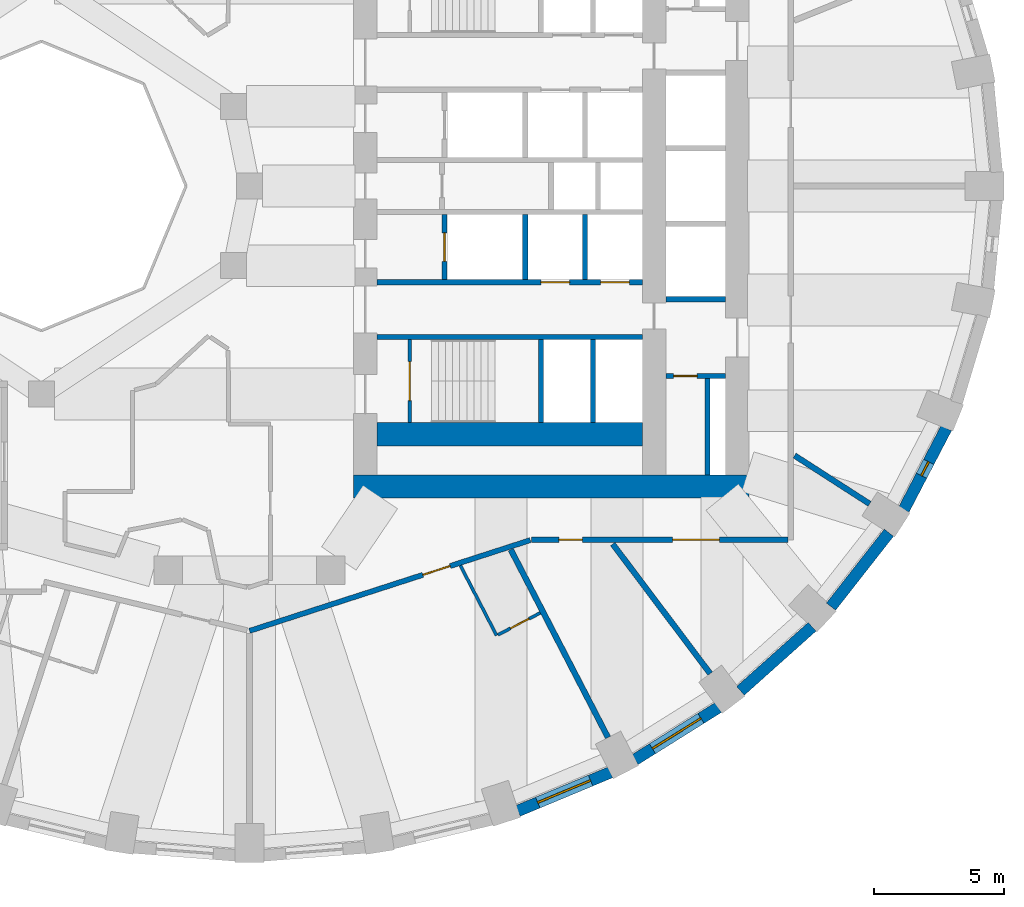
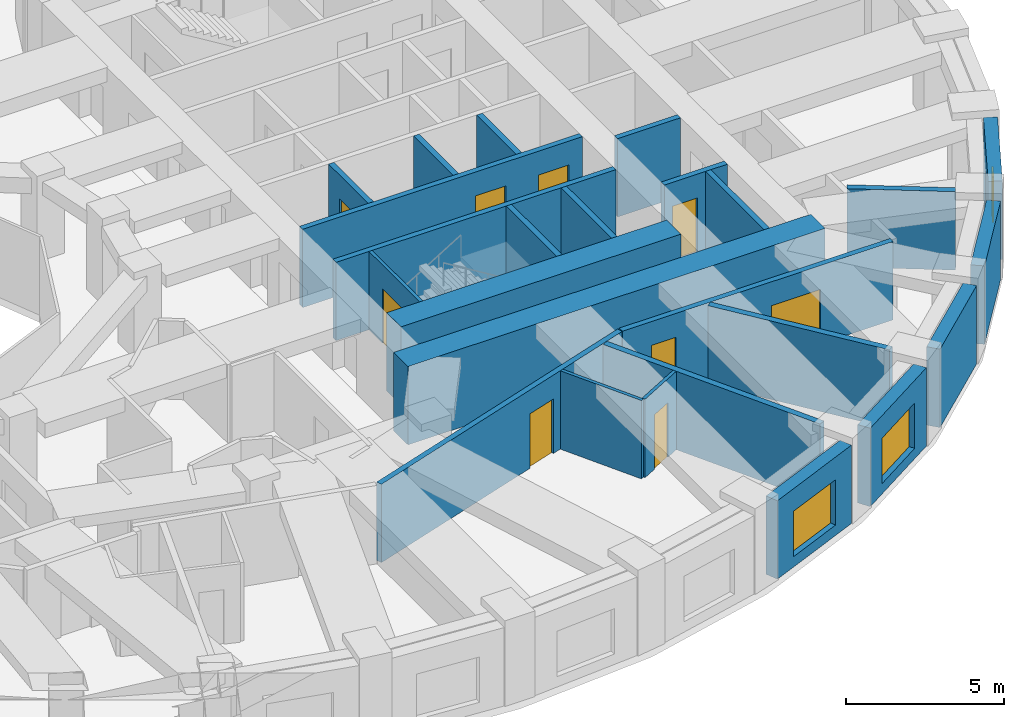
# One storey, part 5 of 13: 25 walls, 9 doors, 3 windows, 12 openings.
"""IFC4 building model written with IfcOpenShell, lengths in metres."""

from ifc_helpers import new_model, si_unit, direction, frame, frame_2d, origin, place, context, subcontext, project, spatial, rectangle, extrude, material, layer, layer_set, type_object, element, fill, save


model = new_model("IFC4")

# Units and contexts
model_context = context("Model", 3, precision=1e-05, world=origin(), true_north=direction((0.0, 1.0)))
body_context = subcontext(model_context, "Body", "Model", "MODEL_VIEW")
ifc_project = project(units=[si_unit("LENGTHUNIT", "METRE"), si_unit("AREAUNIT", "SQUARE_METRE"), si_unit("VOLUMEUNIT", "CUBIC_METRE"), si_unit("PLANEANGLEUNIT", "RADIAN"), si_unit("MASSUNIT", "GRAM", prefix="KILO")], contexts=[model_context])

# Site, building, storey
site_placement = place(None, origin())
site = spatial("IfcSite", under=ifc_project, at=site_placement, CompositionType="ELEMENT")
building_placement = place(site_placement, origin())
building = spatial("IfcBuilding", under=site, at=building_placement, Name="Taillehof Tower", CompositionType="ELEMENT")
storey_placement = place(building_placement, frame((0.0, 0.0, 54.699951171875)))
storey = spatial("IfcBuildingStorey", under=building, at=storey_placement, Name="L14", CompositionType="ELEMENT", Elevation=54.699951171875)

# Wall, opening, window
ifc_material_1 = material(Name="Brick masonry", Category="masonry")
ifc_layer_1 = layer(ifc_material_1, 0.449951171875)
ifc_layer_set_1 = layer_set([ifc_layer_1], Name="Brick infill wall 450")
wall_type_1 = type_object("IfcWallType", Name="Brick infill wall 450", PredefinedType="SOLIDWALL", material=ifc_layer_set_1)
wall_1_placement = place(storey_placement, frame((10.3154296875, -24.02099609375, 0.0), z_axis=(0.0, 0.0, 1.0), x_axis=(0.923031964282, 0.384723267966, 0.0)))
wall_1 = element("IfcWall", 1, at=wall_1_placement, inside=storey, type_object=wall_type_1, Name="Brick wall L14 bay 30", PredefinedType="SOLIDWALL", context=body_context, shape_type="SweptSolid", body=[
    extrude(rectangle(XDim=3.8564453125, YDim=0.449951171875, at=frame_2d((1.92822265625, 0.0))), origin(), (0.0, 0.0, 1.0), 3.02001953125),
])
opening_1_placement = place(wall_1_placement, frame((0.828125, 0.0, 0.39990234375)))
opening_1 = element("IfcOpeningElement", 2, at=opening_1_placement, cuts=wall_1, Name="Opening W1", PredefinedType="OPENING", context=body_context, shape_type="SweptSolid", body=[
    extrude(rectangle(XDim=2.199951171875, YDim=1.75, at=frame_2d((1.10009765625, 0.875))), frame((0.0, 0.23486328125, 0.0), z_axis=(0.0, -1.0, 0.0), x_axis=(1.0, 0.0, 0.0)), (0.0, 0.0, 1.0), 0.469970703125),
])
ifc_material_2 = material(Name="Aluminium window frame with clear double glazing", Category="aluminium")
window_type_1 = type_object("IfcWindowType", Name="Deep-set window 2200x1750", PartitioningType="SINGLE_PANEL", PredefinedType="WINDOW", material=ifc_material_2)
window_1_placement = place(opening_1_placement, origin())
window_1 = element("IfcWindow", 3, at=window_1_placement, inside=storey, type_object=window_type_1, Name="W1", OverallHeight=1.75, OverallWidth=2.199951171875, PartitioningType="SINGLE_PANEL", PredefinedType="WINDOW", context=body_context, shape_type="SweptSolid", body=[
    extrude(rectangle(XDim=2.199951171875, YDim=1.75, at=frame_2d((1.10009765625, 0.875))), frame((0.0, 0.034912109375, 0.0), z_axis=(0.0, -1.0, 0.0), x_axis=(1.0, 0.0, 0.0)), (0.0, 0.0, 1.0), 0.06005859375),
])
fill(opening_1, window_1)

wall_2_placement = place(storey_placement, frame((14.81689453125, -22.050537109375, 0.0), z_axis=(0.0, 0.0, 1.0), x_axis=(0.847635480093, 0.530579016629, 0.0)))
wall_2 = element("IfcWall", 4, at=wall_2_placement, inside=storey, type_object=wall_type_1, Name="Brick wall L14 bay 31", PredefinedType="SOLIDWALL", context=body_context, shape_type="SweptSolid", body=[
    extrude(rectangle(XDim=3.782470703125, YDim=0.449951171875, at=frame_2d((1.89111328125, 0.0))), origin(), (0.0, 0.0, 1.0), 3.02001953125),
])
opening_2_placement = place(wall_2_placement, frame((0.791259765625, 0.0, 0.39990234375)))
opening_2 = element("IfcOpeningElement", 5, at=opening_2_placement, cuts=wall_2, Name="Opening W1", PredefinedType="OPENING", context=body_context, shape_type="SweptSolid", body=[
    extrude(rectangle(XDim=2.199951171875, YDim=1.75, at=frame_2d((1.10009765625, 0.875))), frame((0.0, 0.23486328125, 0.0), z_axis=(0.0, -1.0, 0.0), x_axis=(1.0, 0.0, 0.0)), (0.0, 0.0, 1.0), 0.469970703125),
])
window_2_placement = place(opening_2_placement, origin())
window_2 = element("IfcWindow", 6, at=window_2_placement, inside=storey, type_object=window_type_1, Name="W1", OverallHeight=1.75, OverallWidth=2.199951171875, PartitioningType="SINGLE_PANEL", PredefinedType="WINDOW", context=body_context, shape_type="SweptSolid", body=[
    extrude(rectangle(XDim=2.199951171875, YDim=1.75, at=frame_2d((1.10009765625, 0.875))), frame((0.0, 0.034912109375, 0.0), z_axis=(0.0, -1.0, 0.0), x_axis=(1.0, 0.0, 0.0)), (0.0, 0.0, 1.0), 0.06005859375),
])
fill(opening_2, window_2)

# Walls
wall_3_placement = place(storey_placement, frame((18.87060546875, -19.406982421875, 0.0), z_axis=(0.0, 0.0, 1.0), x_axis=(0.745526233716, 0.66647628228, 0.0)))
element("IfcWall", 7, at=wall_3_placement, inside=storey, type_object=wall_type_1, Name="Brick wall L14 bay 32", PredefinedType="SOLIDWALL", context=body_context, shape_type="SweptSolid", body=[
    extrude(rectangle(XDim=3.69677734375, YDim=0.449951171875, at=frame_2d((1.848388671875, 0.0))), origin(), (0.0, 0.0, 1.0), 3.02001953125),
])
wall_4_placement = place(storey_placement, frame((22.3515625, -16.169677734375, 0.0), z_axis=(0.0, 0.0, 1.0), x_axis=(0.616661975264, 0.787228053529, 0.0)))
element("IfcWall", 8, at=wall_4_placement, inside=storey, type_object=wall_type_1, Name="Brick wall L14 bay 33", PredefinedType="SOLIDWALL", context=body_context, shape_type="SweptSolid", body=[
    extrude(rectangle(XDim=3.60986328125, YDim=0.449951171875, at=frame_2d((1.804931640625, 0.0))), origin(), (0.0, 0.0, 1.0), 3.02001953125),
])

# Wall, opening, window
wall_5_placement = place(storey_placement, frame((25.152099609375, -12.436767578125, 0.0), z_axis=(0.0, 0.0, 1.0), x_axis=(0.462492775226, 0.886623050041, 0.0)))
wall_5 = element("IfcWall", 9, at=wall_5_placement, inside=storey, type_object=wall_type_1, Name="Brick wall L14 bay 34", PredefinedType="SOLIDWALL", context=body_context, shape_type="SweptSolid", body=[
    extrude(rectangle(XDim=3.531982421875, YDim=0.449951171875, at=frame_2d((1.76611328125, 0.0))), origin(), (0.0, 0.0, 1.0), 3.02001953125),
])
opening_3_placement = place(wall_5_placement, frame((1.466064453125, 0.0, 0.39990234375)))
opening_3 = element("IfcOpeningElement", 10, at=opening_3_placement, cuts=wall_5, Name="Opening W6", PredefinedType="OPENING", context=body_context, shape_type="SweptSolid", body=[
    extrude(rectangle(XDim=0.60009765625, YDim=1.75, at=frame_2d((0.300048828125, 0.875))), frame((0.0, 0.23486328125, 0.0), z_axis=(0.0, -1.0, 0.0), x_axis=(1.0, 0.0, 0.0)), (0.0, 0.0, 1.0), 0.469970703125),
])
ifc_material_3 = material(Name="Aluminium window frame with clear double glazing", Category="aluminium")
window_type_2 = type_object("IfcWindowType", Name="Slot window 600x1750", PartitioningType="SINGLE_PANEL", PredefinedType="WINDOW", material=ifc_material_3)
window_3_placement = place(opening_3_placement, origin())
window_3 = element("IfcWindow", 11, at=window_3_placement, inside=storey, type_object=window_type_2, Name="W6", OverallHeight=1.75, OverallWidth=0.60009765625, PartitioningType="SINGLE_PANEL", PredefinedType="WINDOW", context=body_context, shape_type="SweptSolid", body=[
    extrude(rectangle(XDim=0.60009765625, YDim=1.75, at=frame_2d((0.300048828125, 0.875))), frame((0.0, 0.034912109375, 0.0), z_axis=(0.0, -1.0, 0.0), x_axis=(1.0, 0.0, 0.0)), (0.0, 0.0, 1.0), 0.06005859375),
])
fill(opening_3, window_3)

# Wall, opening, door
ifc_material_4 = material(Name="Calcium silicate masonry", Category="masonry")
ifc_layer_2 = layer(ifc_material_4, 0.199951171875)
ifc_layer_set_2 = layer_set([ifc_layer_2], Name="Compartment wall calcium silicate 200")
wall_type_2 = type_object("IfcWallType", Name="Compartment wall calcium silicate 200", PredefinedType="PARTITIONING", material=ifc_layer_set_2)
wall_6_placement = place(storey_placement, frame((16.0, -7.300048828125, 0.0), z_axis=(0.0, 0.0, 1.0), x_axis=(1.0, 0.0, 0.0)))
wall_6 = element("IfcWall", 12, at=wall_6_placement, inside=storey, type_object=wall_type_2, Name="Compartment wall FW", PredefinedType="PARTITIONING", context=body_context, shape_type="SweptSolid", body=[
    extrude(rectangle(XDim=2.300048828125, YDim=0.199951171875, at=frame_2d((1.14990234375, 0.0))), origin(), (0.0, 0.0, 1.0), 3.02001953125),
])
opening_4_placement = place(wall_6_placement, frame((0.300048828125, 0.0, 0.0)))
opening_4 = element("IfcOpeningElement", 13, at=opening_4_placement, cuts=wall_6, Name="Opening D1418", PredefinedType="OPENING", context=body_context, shape_type="SweptSolid", body=[
    extrude(rectangle(XDim=0.89990234375, YDim=2.10009765625, at=frame_2d((0.449951171875, 1.050048828125))), frame((0.0, 0.10986328125, 0.0), z_axis=(0.0, -1.0, 0.0), x_axis=(1.0, 0.0, 0.0)), (0.0, 0.0, 1.0), 0.219970703125),
])
ifc_material_5 = material(Name="Steel-faced fire door", Category="steel")
door_type_1 = type_object("IfcDoorType", Name="Riser and service room door 900x2100", OperationType="SINGLE_SWING_LEFT", PredefinedType="DOOR", material=ifc_material_5)
door_1_placement = place(opening_4_placement, origin())
door_1 = element("IfcDoor", 14, at=door_1_placement, inside=storey, type_object=door_type_1, Name="Door Bms Room", OperationType="SINGLE_SWING_LEFT", OverallHeight=2.10009765625, OverallWidth=0.89990234375, PredefinedType="DOOR", context=body_context, shape_type="SweptSolid", body=[
    extrude(rectangle(XDim=0.89990234375, YDim=2.10009765625, at=frame_2d((0.449951171875, 1.050048828125))), frame((0.0, 0.02490234375, 0.0), z_axis=(0.0, -1.0, 0.0), x_axis=(1.0, 0.0, 0.0)), (0.0, 0.0, 1.0), 0.050048828125),
])
fill(opening_4, door_1)

# Wall
wall_7_placement = place(storey_placement, frame((17.60009765625, -11.10009765625, 0.0), z_axis=(0.0, 0.0, 1.0), x_axis=(0.0, 1.0, 0.0)))
element("IfcWall", 15, at=wall_7_placement, inside=storey, type_object=wall_type_2, Name="Compartment wall FW", PredefinedType="PARTITIONING", context=body_context, shape_type="SweptSolid", body=[
    extrude(rectangle(XDim=3.7001953125, YDim=0.199951171875, at=frame_2d((1.85009765625, 0.0))), origin(), (0.0, 0.0, 1.0), 3.02001953125),
])

# Wall, openings, doors
ifc_material_6 = material(Name="Gypsum board on steel studs, two layers each side", Category="steel")
ifc_layer_3 = layer(ifc_material_6, 0.199951171875)
ifc_layer_set_3 = layer_set([ifc_layer_3], Name="Compartment wall corridor 200")
wall_type_3 = type_object("IfcWallType", Name="Compartment wall corridor 200", PredefinedType="PARTITIONING", material=ifc_layer_set_3)
wall_8_placement = place(storey_placement, frame((20.699951171875, -13.60009765625, 0.0), z_axis=(0.0, 0.0, 1.0), x_axis=(-1.0, 0.0, 0.0)))
wall_8 = element("IfcWall", 16, at=wall_8_placement, inside=storey, type_object=wall_type_3, Name="Compartment wall", PredefinedType="PARTITIONING", context=body_context, shape_type="SweptSolid", body=[
    extrude(rectangle(XDim=9.86962890625, YDim=0.199951171875, at=frame_2d((4.934814453125, 0.0))), origin(), (0.0, 0.0, 1.0), 3.02001953125),
])
opening_5_placement = place(wall_8_placement, frame((7.9091796875, 0.0, 0.0)))
opening_5 = element("IfcOpeningElement", 17, at=opening_5_placement, cuts=wall_8, Name="Opening D1463", PredefinedType="OPENING", context=body_context, shape_type="SweptSolid", body=[
    extrude(rectangle(XDim=0.89990234375, YDim=2.10009765625, at=frame_2d((0.449951171875, 1.050048828125))), frame((0.0, 0.10986328125, 0.0), z_axis=(0.0, -1.0, 0.0), x_axis=(1.0, 0.0, 0.0)), (0.0, 0.0, 1.0), 0.219970703125),
])
opening_6_placement = place(wall_8_placement, frame((2.6376953125, 0.0, 0.0)))
opening_6 = element("IfcOpeningElement", 18, at=opening_6_placement, cuts=wall_8, Name="Opening D1464", PredefinedType="OPENING", context=body_context, shape_type="SweptSolid", body=[
    extrude(rectangle(XDim=1.800048828125, YDim=2.10009765625, at=frame_2d((0.89990234375, 1.050048828125))), frame((0.0, 0.10986328125, 0.0), z_axis=(0.0, -1.0, 0.0), x_axis=(1.0, 0.0, 0.0)), (0.0, 0.0, 1.0), 0.219970703125),
])
ifc_material_7 = material(Name="Timber door leaf in steel frame", Category="steel")
door_type_2 = type_object("IfcDoorType", Name="Lounge and meeting room double door EI 30 1800 x 2100", OperationType="SINGLE_SWING_LEFT", PredefinedType="DOOR", material=ifc_material_7)
door_2_placement = place(opening_6_placement, origin())
door_2 = element("IfcDoor", 19, at=door_2_placement, inside=storey, type_object=door_type_2, Name="D1464", OperationType="DOUBLE_DOOR_SINGLE_SWING", OverallHeight=2.10009765625, OverallWidth=1.800048828125, PredefinedType="DOOR", context=body_context, shape_type="SweptSolid", body=[
    extrude(rectangle(XDim=1.800048828125, YDim=2.10009765625, at=frame_2d((0.89990234375, 1.050048828125))), frame((0.0, 0.02490234375, 0.0), z_axis=(0.0, -1.0, 0.0), x_axis=(1.0, 0.0, 0.0)), (0.0, 0.0, 1.0), 0.050048828125),
])
fill(opening_6, door_2)
ifc_material_8 = material(Name="Timber door leaf in steel frame", Category="steel")
door_type_3 = type_object("IfcDoorType", Name="Service room door EI 30 900 x 2100", OperationType="SINGLE_SWING_LEFT", PredefinedType="DOOR", material=ifc_material_8)
door_3_placement = place(opening_5_placement, origin())
door_3 = element("IfcDoor", 20, at=door_3_placement, inside=storey, type_object=door_type_3, Name="D1463", OperationType="SINGLE_SWING_RIGHT", OverallHeight=2.10009765625, OverallWidth=0.89990234375, PredefinedType="DOOR", context=body_context, shape_type="SweptSolid", body=[
    extrude(rectangle(XDim=0.89990234375, YDim=2.10009765625, at=frame_2d((0.449951171875, 1.050048828125))), frame((0.0, 0.02490234375, 0.0), z_axis=(0.0, -1.0, 0.0), x_axis=(1.0, 0.0, 0.0)), (0.0, 0.0, 1.0), 0.050048828125),
])
fill(opening_5, door_3)

# Wall, opening, door
wall_9_placement = place(storey_placement, frame((10.792236328125, -13.6123046875, 0.0), z_axis=(0.0, 0.0, 1.0), x_axis=(-0.951542928403, -0.307515943336, 0.0)))
wall_9 = element("IfcWall", 21, at=wall_9_placement, inside=storey, type_object=wall_type_3, Name="Compartment wall", PredefinedType="PARTITIONING", context=body_context, shape_type="SweptSolid", body=[
    extrude(rectangle(XDim=11.341796875, YDim=0.199951171875, at=frame_2d((5.6708984375, 0.0))), origin(), (0.0, 0.0, 1.0), 3.02001953125),
])
opening_7_placement = place(wall_9_placement, frame((3.238525390625, 0.0, 0.0)))
opening_7 = element("IfcOpeningElement", 22, at=opening_7_placement, cuts=wall_9, Name="Opening D1461", PredefinedType="OPENING", context=body_context, shape_type="SweptSolid", body=[
    extrude(rectangle(XDim=1.10009765625, YDim=2.10009765625, at=frame_2d((0.550048828125, 1.050048828125))), frame((0.0, 0.10986328125, 0.0), z_axis=(0.0, -1.0, 0.0), x_axis=(1.0, 0.0, 0.0)), (0.0, 0.0, 1.0), 0.219970703125),
])
ifc_material_9 = material(Name="Timber door leaf in steel frame", Category="steel")
door_type_4 = type_object("IfcDoorType", Name="Suite entrance door EI 30 1100 x 2100", OperationType="SINGLE_SWING_LEFT", PredefinedType="DOOR", material=ifc_material_9)
door_4_placement = place(opening_7_placement, origin())
door_4 = element("IfcDoor", 23, at=door_4_placement, inside=storey, type_object=door_type_4, Name="D1461", OperationType="SINGLE_SWING_LEFT", OverallHeight=2.10009765625, OverallWidth=1.10009765625, PredefinedType="DOOR", context=body_context, shape_type="SweptSolid", body=[
    extrude(rectangle(XDim=1.10009765625, YDim=2.10009765625, at=frame_2d((0.550048828125, 1.050048828125))), frame((0.0, 0.02490234375, 0.0), z_axis=(0.0, -1.0, 0.0), x_axis=(1.0, 0.0, 0.0)), (0.0, 0.0, 1.0), 0.050048828125),
])
fill(opening_7, door_4)

# Walls
ifc_material_10 = material(Name="Gypsum board on double steel studs with mineral wool", Category="steel")
ifc_layer_4 = layer(ifc_material_10, 0.219970703125)
ifc_layer_set_4 = layer_set([ifc_layer_4], Name="Compartment wall guest room 220")
wall_type_4 = type_object("IfcWallType", Name="Compartment wall guest room 220", PredefinedType="PARTITIONING", material=ifc_layer_set_4)
wall_10_placement = place(storey_placement, frame((13.7802734375, -21.201171875, 0.0), z_axis=(0.0, 0.0, 1.0), x_axis=(-0.459685115008, 0.888081975405, 0.0)))
element("IfcWall", 24, at=wall_10_placement, inside=storey, type_object=wall_type_4, Name="Compartment wall", PredefinedType="PARTITIONING", context=body_context, shape_type="SweptSolid", body=[
    extrude(rectangle(XDim=8.130615234375, YDim=0.219970703125, at=frame_2d((4.0654296875, 0.0))), origin(), (0.0, 0.0, 1.0), 3.02001953125),
])
wall_11_placement = place(storey_placement, frame((17.707763671875, -18.7431640625, 0.0), z_axis=(0.0, 0.0, 1.0), x_axis=(-0.601177883261, 0.799115231164, 0.0)))
element("IfcWall", 25, at=wall_11_placement, inside=storey, type_object=wall_type_4, Name="Compartment wall", PredefinedType="PARTITIONING", context=body_context, shape_type="SweptSolid", body=[
    extrude(rectangle(XDim=6.231201171875, YDim=0.219970703125, at=frame_2d((3.11572265625, 0.0))), origin(), (0.0, 0.0, 1.0), 3.02001953125),
])
wall_12_placement = place(storey_placement, frame((23.834716796875, -12.218994140625, 0.0), z_axis=(0.0, 0.0, 1.0), x_axis=(-0.840694872373, 0.541509124176, 0.0)))
element("IfcWall", 26, at=wall_12_placement, inside=storey, type_object=wall_type_4, Name="Compartment wall", PredefinedType="PARTITIONING", context=body_context, shape_type="SweptSolid", body=[
    extrude(rectangle(XDim=3.430419921875, YDim=0.219970703125, at=frame_2d((1.71533203125, 0.0))), origin(), (0.0, 0.0, 1.0), 3.02001953125),
])
ifc_material_11 = material(Name="Concrete C80/95", Category="concrete")
ifc_layer_5 = layer(ifc_material_11, 0.89990234375)
ifc_layer_set_5 = layer_set([ifc_layer_5], Name="Core wall C80/95 900")
wall_type_5 = type_object("IfcWallType", Name="Core wall C80/95 900", PredefinedType="SHEAR", material=ifc_layer_set_5)
wall_13_placement = place(storey_placement, frame((4.0, -11.550048828125, 0.0), z_axis=(0.0, 0.0, 1.0), x_axis=(1.0, 0.0, 0.0)))
element("IfcWall", 27, at=wall_13_placement, inside=storey, type_object=wall_type_5, Name="Core wall CW04", PredefinedType="SHEAR", context=body_context, shape_type="SweptSolid", body=[
    extrude(rectangle(XDim=15.199951171875, YDim=0.89990234375, at=frame_2d((7.60009765625, 0.0))), origin(), (0.0, 0.0, 1.0), 3.02001953125),
])
wall_14_placement = place(storey_placement, frame((4.89990234375, -9.550048828125, 0.0), z_axis=(0.0, 0.0, 1.0), x_axis=(1.0, 0.0, 0.0)))
element("IfcWall", 28, at=wall_14_placement, inside=storey, type_object=wall_type_5, Name="Core wall CW07", PredefinedType="SHEAR", context=body_context, shape_type="SweptSolid", body=[
    extrude(rectangle(XDim=10.2001953125, YDim=0.89990234375, at=frame_2d((5.10009765625, 0.0))), origin(), (0.0, 0.0, 1.0), 3.02001953125),
])
ifc_material_12 = material(Name="Gypsum board on steel studs, moisture resistant", Category="steel")
ifc_layer_6 = layer(ifc_material_12, 0.1201171875)
ifc_layer_set_6 = layer_set([ifc_layer_6], Name="En-suite wall 120")
wall_type_6 = type_object("IfcWallType", Name="En-suite wall 120", PredefinedType="PARTITIONING", material=ifc_layer_set_6)
wall_15_placement = place(storey_placement, frame((8.104248046875, -14.586181640625, 0.0), z_axis=(0.0, 0.0, 1.0), x_axis=(0.459668270166, -0.888090694357, 0.0)))
element("IfcWall", 29, at=wall_15_placement, inside=storey, type_object=wall_type_6, Name="En-suite wall", PredefinedType="PARTITIONING", context=body_context, shape_type="SweptSolid", body=[
    extrude(rectangle(XDim=3.03173828125, YDim=0.1201171875, at=frame_2d((1.515869140625, 0.0))), origin(), (0.0, 0.0, 1.0), 3.02001953125),
])

# Wall, opening, door
wall_16_placement = place(storey_placement, frame((9.551025390625, -17.2509765625, 0.0), z_axis=(0.0, 0.0, 1.0), x_axis=(0.88806930088, 0.459709600546, 0.0)))
wall_16 = element("IfcWall", 30, at=wall_16_placement, inside=storey, type_object=wall_type_6, Name="En-suite wall", PredefinedType="PARTITIONING", context=body_context, shape_type="SweptSolid", body=[
    extrude(rectangle(XDim=1.830078125, YDim=0.1201171875, at=frame_2d((0.9150390625, 0.0))), origin(), (0.0, 0.0, 1.0), 3.02001953125),
])
opening_8_placement = place(wall_16_placement, frame((0.5400390625, 0.0, 0.0)))
opening_8 = element("IfcOpeningElement", 31, at=opening_8_placement, cuts=wall_16, Name="Opening D1462", PredefinedType="OPENING", context=body_context, shape_type="SweptSolid", body=[
    extrude(rectangle(XDim=0.800048828125, YDim=2.10009765625, at=frame_2d((0.39990234375, 1.050048828125))), frame((0.0, 0.070068359375, 0.0), z_axis=(0.0, -1.0, 0.0), x_axis=(1.0, 0.0, 0.0)), (0.0, 0.0, 1.0), 0.14013671875),
])
ifc_material_13 = material(Name="Timber door leaf in steel frame", Category="steel")
door_type_5 = type_object("IfcDoorType", Name="En-suite door 800 x 2100", OperationType="SINGLE_SWING_LEFT", PredefinedType="DOOR", material=ifc_material_13)
door_5_placement = place(opening_8_placement, origin())
door_5 = element("IfcDoor", 32, at=door_5_placement, inside=storey, type_object=door_type_5, Name="D1462", OperationType="SINGLE_SWING_RIGHT", OverallHeight=2.10009765625, OverallWidth=0.800048828125, PredefinedType="DOOR", context=body_context, shape_type="SweptSolid", body=[
    extrude(rectangle(XDim=0.800048828125, YDim=2.10009765625, at=frame_2d((0.39990234375, 1.050048828125))), frame((0.0, 0.02490234375, 0.0), z_axis=(0.0, -1.0, 0.0), x_axis=(1.0, 0.0, 0.0)), (0.0, 0.0, 1.0), 0.050048828125),
])
fill(opening_8, door_5)

# Wall, openings, doors
ifc_material_14 = material(Name="Concrete C50/60", Category="concrete")
ifc_layer_7 = layer(ifc_material_14, 0.199951171875)
ifc_layer_set_7 = layer_set([ifc_layer_7], Name="Shaft wall C50/60 200")
wall_type_7 = type_object("IfcWallType", Name="Shaft wall C50/60 200", PredefinedType="SHEAR", material=ifc_layer_set_7)
wall_17_placement = place(storey_placement, frame((4.89990234375, -3.699951171875, 0.0), z_axis=(0.0, 0.0, 1.0), x_axis=(1.0, 0.0, 0.0)))
wall_17 = element("IfcWall", 33, at=wall_17_placement, inside=storey, type_object=wall_type_7, Name="Shaft wall SW", PredefinedType="SHEAR", context=body_context, shape_type="SweptSolid", body=[
    extrude(rectangle(XDim=10.2001953125, YDim=0.199951171875, at=frame_2d((5.10009765625, 0.0))), origin(), (0.0, 0.0, 1.0), 3.02001953125),
])
opening_9_placement = place(wall_17_placement, frame((6.300048828125, 0.0, 0.0)))
opening_9 = element("IfcOpeningElement", 34, at=opening_9_placement, cuts=wall_17, Name="Opening LD1", PredefinedType="OPENING", context=body_context, shape_type="SweptSolid", body=[
    extrude(rectangle(XDim=1.10009765625, YDim=2.10009765625, at=frame_2d((0.550048828125, 1.050048828125))), frame((0.0, 0.10986328125, 0.0), z_axis=(0.0, -1.0, 0.0), x_axis=(1.0, 0.0, 0.0)), (0.0, 0.0, 1.0), 0.219970703125),
])
opening_10_placement = place(wall_17_placement, frame((8.60009765625, 0.0, 0.0)))
opening_10 = element("IfcOpeningElement", 35, at=opening_10_placement, cuts=wall_17, Name="Opening LD1", PredefinedType="OPENING", context=body_context, shape_type="SweptSolid", body=[
    extrude(rectangle(XDim=1.10009765625, YDim=2.10009765625, at=frame_2d((0.550048828125, 1.050048828125))), frame((0.0, 0.10986328125, 0.0), z_axis=(0.0, -1.0, 0.0), x_axis=(1.0, 0.0, 0.0)), (0.0, 0.0, 1.0), 0.219970703125),
])
ifc_material_15 = material(Name="Stainless steel", Category="steel")
door_type_6 = type_object("IfcDoorType", Name="Lift landing door LD1 1100x2100", OperationType="DOUBLE_DOOR_SLIDING", PredefinedType="DOOR", material=ifc_material_15)
door_6_placement = place(opening_9_placement, origin())
door_6 = element("IfcDoor", 36, at=door_6_placement, inside=storey, type_object=door_type_6, Name="Landing door LR5", OperationType="DOUBLE_DOOR_SLIDING", OverallHeight=2.10009765625, OverallWidth=1.10009765625, PredefinedType="DOOR", context=body_context, shape_type="SweptSolid", body=[
    extrude(rectangle(XDim=1.10009765625, YDim=2.10009765625, at=frame_2d((0.550048828125, 1.050048828125))), frame((0.0, 0.02490234375, 0.0), z_axis=(0.0, -1.0, 0.0), x_axis=(1.0, 0.0, 0.0)), (0.0, 0.0, 1.0), 0.050048828125),
])
fill(opening_9, door_6)
door_7_placement = place(opening_10_placement, origin())
door_7 = element("IfcDoor", 37, at=door_7_placement, inside=storey, type_object=door_type_6, Name="Landing door LR6", OperationType="DOUBLE_DOOR_SLIDING", OverallHeight=2.10009765625, OverallWidth=1.10009765625, PredefinedType="DOOR", context=body_context, shape_type="SweptSolid", body=[
    extrude(rectangle(XDim=1.10009765625, YDim=2.10009765625, at=frame_2d((0.550048828125, 1.050048828125))), frame((0.0, 0.02490234375, 0.0), z_axis=(0.0, -1.0, 0.0), x_axis=(1.0, 0.0, 0.0)), (0.0, 0.0, 1.0), 0.050048828125),
])
fill(opening_10, door_7)

# Walls
wall_18_placement = place(storey_placement, frame((4.89990234375, -5.800048828125, 0.0), z_axis=(0.0, 0.0, 1.0), x_axis=(1.0, 0.0, 0.0)))
element("IfcWall", 38, at=wall_18_placement, inside=storey, type_object=wall_type_7, Name="Shaft wall SW", PredefinedType="SHEAR", context=body_context, shape_type="SweptSolid", body=[
    extrude(rectangle(XDim=10.2001953125, YDim=0.199951171875, at=frame_2d((5.10009765625, 0.0))), origin(), (0.0, 0.0, 1.0), 3.02001953125),
])
for number, where, z_axis, x_axis, name in (
    (39, (11.199951171875, -9.10009765625, 0.0), (0.0, 0.0, 1.0), (0.0, 1.0, 0.0), "Shaft wall SW"),
    (40, (13.199951171875, -9.10009765625, 0.0), (0.0, 0.0, 1.0), (0.0, 1.0, 0.0), "Shaft wall SW"),
):
    element("IfcWall", number, at=place(storey_placement, frame(where, z_axis=z_axis, x_axis=x_axis)), inside=storey, type_object=wall_type_7, Name=name, PredefinedType="SHEAR", context=body_context, shape_type="SweptSolid", body=[
        extrude(rectangle(XDim=3.2001953125, YDim=0.199951171875, at=frame_2d((1.60009765625, 0.0))), origin(), (0.0, 0.0, 1.0), 3.02001953125),
    ])

# Wall, opening, door
wall_19_placement = place(storey_placement, frame((7.5, -3.60009765625, 0.0), z_axis=(0.0, 0.0, 1.0), x_axis=(0.0, 1.0, 0.0)))
wall_19 = element("IfcWall", 41, at=wall_19_placement, inside=storey, type_object=wall_type_7, Name="Shaft wall SW", PredefinedType="SHEAR", context=body_context, shape_type="SweptSolid", body=[
    extrude(rectangle(XDim=2.5, YDim=0.199951171875, at=frame_2d((1.25, 0.0))), origin(), (0.0, 0.0, 1.0), 3.02001953125),
])
opening_11_placement = place(wall_19_placement, frame((0.699951171875, 0.0, 0.0)))
opening_11 = element("IfcOpeningElement", 42, at=opening_11_placement, cuts=wall_19, Name="Opening LD1", PredefinedType="OPENING", context=body_context, shape_type="SweptSolid", body=[
    extrude(rectangle(XDim=1.10009765625, YDim=2.10009765625, at=frame_2d((0.550048828125, 1.050048828125))), frame((0.0, 0.10986328125, 0.0), z_axis=(0.0, -1.0, 0.0), x_axis=(1.0, 0.0, 0.0)), (0.0, 0.0, 1.0), 0.219970703125),
])
door_8_placement = place(opening_11_placement, origin())
door_8 = element("IfcDoor", 43, at=door_8_placement, inside=storey, type_object=door_type_6, Name="Landing door FF2", OperationType="DOUBLE_DOOR_SLIDING", OverallHeight=2.10009765625, OverallWidth=1.10009765625, PredefinedType="DOOR", context=body_context, shape_type="SweptSolid", body=[
    extrude(rectangle(XDim=1.10009765625, YDim=2.10009765625, at=frame_2d((0.550048828125, 1.050048828125))), frame((0.0, 0.02490234375, 0.0), z_axis=(0.0, -1.0, 0.0), x_axis=(1.0, 0.0, 0.0)), (0.0, 0.0, 1.0), 0.050048828125),
])
fill(opening_11, door_8)

# Walls
for number, where, z_axis, x_axis, name in (
    (44, (10.60009765625, -3.60009765625, 0.0), (0.0, 0.0, 1.0), (0.0, 1.0, 0.0), "Shaft wall SW"),
    (45, (12.89990234375, -3.60009765625, 0.0), (0.0, 0.0, 1.0), (0.0, 1.0, 0.0), "Shaft wall SW"),
):
    element("IfcWall", number, at=place(storey_placement, frame(where, z_axis=z_axis, x_axis=x_axis)), inside=storey, type_object=wall_type_7, Name=name, PredefinedType="SHEAR", context=body_context, shape_type="SweptSolid", body=[
        extrude(rectangle(XDim=2.5, YDim=0.199951171875, at=frame_2d((1.25, 0.0))), origin(), (0.0, 0.0, 1.0), 3.02001953125),
    ])
wall_20_placement = place(storey_placement, frame((16.0, -4.35009765625, 0.0), z_axis=(0.0, 0.0, 1.0), x_axis=(1.0, 0.0, 0.0)))
element("IfcWall", 46, at=wall_20_placement, inside=storey, type_object=wall_type_7, Name="Shaft wall SW", PredefinedType="SHEAR", context=body_context, shape_type="SweptSolid", body=[
    extrude(rectangle(XDim=2.300048828125, YDim=0.199951171875, at=frame_2d((1.14990234375, 0.0))), origin(), (0.0, 0.0, 1.0), 3.02001953125),
])

# Wall, opening, door
ifc_material_16 = material(Name="Concrete C50/60", Category="concrete")
ifc_layer_8 = layer(ifc_material_16, 0.1201171875)
ifc_layer_set_8 = layer_set([ifc_layer_8], Name="Stair lobby wall C50/60 120")
wall_type_8 = type_object("IfcWallType", Name="Stair lobby wall C50/60 120", PredefinedType="SHEAR", material=ifc_layer_set_8)
wall_21_placement = place(storey_placement, frame((6.159912109375, -9.10009765625, 0.0), z_axis=(0.0, 0.0, 1.0), x_axis=(0.0, 1.0, 0.0)))
wall_21 = element("IfcWall", 47, at=wall_21_placement, inside=storey, type_object=wall_type_8, Name="Compartment wall SW", PredefinedType="SHEAR", context=body_context, shape_type="SweptSolid", body=[
    extrude(rectangle(XDim=3.2001953125, YDim=0.1201171875, at=frame_2d((1.60009765625, 0.0))), origin(), (0.0, 0.0, 1.0), 3.02001953125),
])
opening_12_placement = place(wall_21_placement, frame((0.85009765625, 0.0, 0.0)))
opening_12 = element("IfcOpeningElement", 48, at=opening_12_placement, cuts=wall_21, Name="Opening D1411", PredefinedType="OPENING", context=body_context, shape_type="SweptSolid", body=[
    extrude(rectangle(XDim=1.5, YDim=2.10009765625, at=frame_2d((0.75, 1.050048828125))), frame((0.0, 0.070068359375, 0.0), z_axis=(0.0, -1.0, 0.0), x_axis=(1.0, 0.0, 0.0)), (0.0, 0.0, 1.0), 0.14013671875),
])
ifc_material_17 = material(Name="Steel-faced fire door", Category="steel")
door_type_7 = type_object("IfcDoorType", Name="Stair door 1500x2100", OperationType="DOUBLE_DOOR_SINGLE_SWING", PredefinedType="DOOR", material=ifc_material_17)
door_9_placement = place(opening_12_placement, origin())
door_9 = element("IfcDoor", 49, at=door_9_placement, inside=storey, type_object=door_type_7, Name="Stair lobby door S2", OperationType="DOUBLE_DOOR_SINGLE_SWING", OverallHeight=2.10009765625, OverallWidth=1.5, PredefinedType="DOOR", context=body_context, shape_type="SweptSolid", body=[
    extrude(rectangle(XDim=1.5, YDim=2.10009765625, at=frame_2d((0.75, 1.050048828125))), frame((0.0, 0.02490234375, 0.0), z_axis=(0.0, -1.0, 0.0), x_axis=(1.0, 0.0, 0.0)), (0.0, 0.0, 1.0), 0.050048828125),
])
fill(opening_12, door_9)

save(model, "model.ifc")
